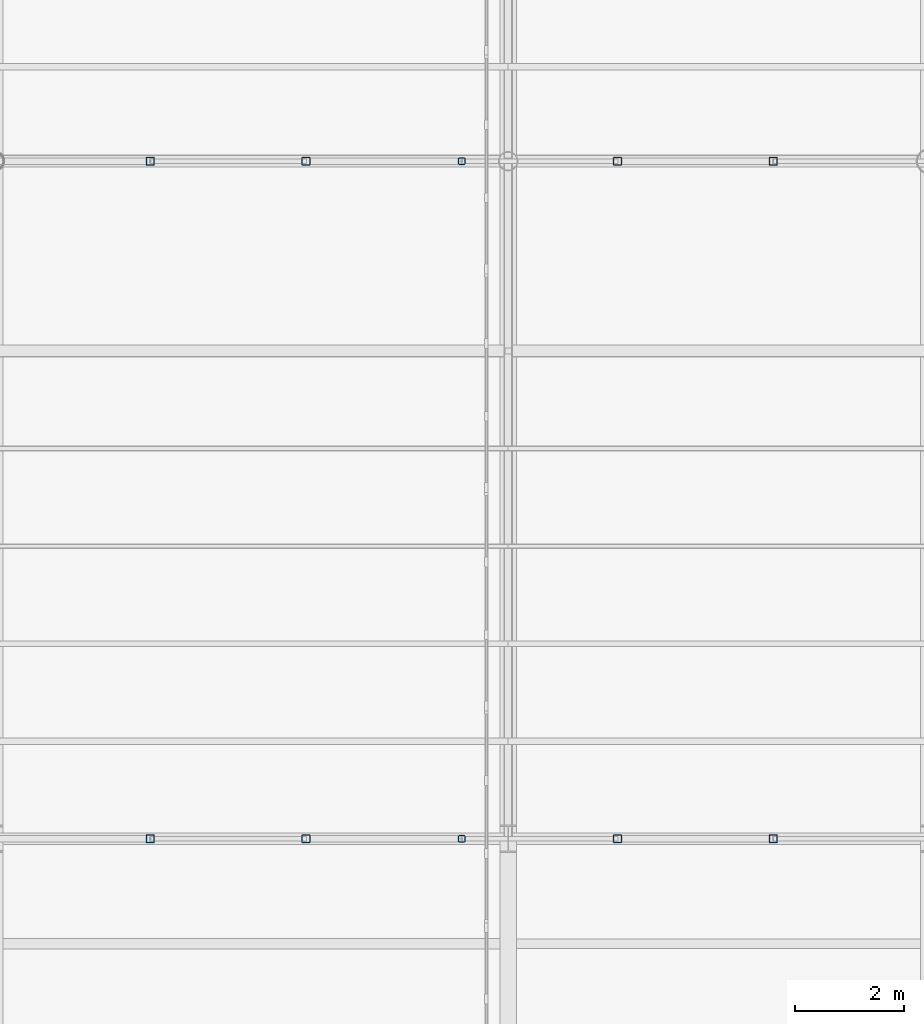
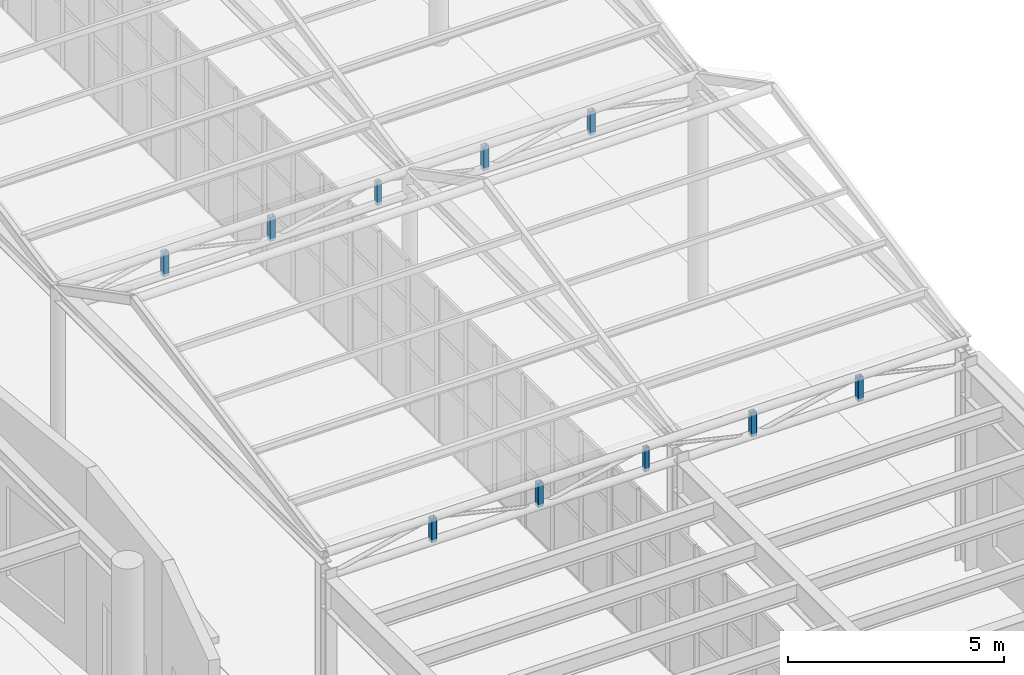
# One storey, part 58 of 118: 10 members.
"""IFC4 building model written with IfcOpenShell, lengths in metres."""

from ifc_helpers import new_model, si_unit, direction, frame, origin, origin_2d, place, context, subcontext, project, spatial, hollow_rectangle, extrude, material, material_profile, profile_set, type_object, element, save


model = new_model("IFC4")

# Units and contexts
model_context = context("Model", 3, precision=1e-05, world=origin(), true_north=direction((0.0, 1.0)))
body_context = subcontext(model_context, "Body", "Model", "MODEL_VIEW")
ifc_project = project(units=[si_unit("LENGTHUNIT", "METRE"), si_unit("AREAUNIT", "SQUARE_METRE"), si_unit("VOLUMEUNIT", "CUBIC_METRE"), si_unit("PLANEANGLEUNIT", "RADIAN"), si_unit("MASSUNIT", "GRAM", prefix="KILO")], contexts=[model_context])

# Site, building, storey
site_placement = place(None, origin())
site = spatial("IfcSite", under=ifc_project, at=site_placement, CompositionType="ELEMENT")
building_placement = place(site_placement, origin())
building = spatial("IfcBuilding", under=site, at=building_placement, Name="Kolvaren Corner Interchange", CompositionType="ELEMENT")
storey_placement = place(building_placement, origin())
storey = spatial("IfcBuildingStorey", under=building, at=storey_placement, Name="L01", CompositionType="ELEMENT", Elevation=0.0)

# Members
ifc_material_1 = material(Name="Steel S355", Category="steel")
ifc_material_profile_1 = material_profile(ifc_material_1, hollow_rectangle(XDim=0.1201171875, YDim=0.1201171875, WallThickness=0.00634765625, InnerFilletRadius=0.00634765625, OuterFilletRadius=0.0126953125, at=origin_2d()), Name="SHS 120x120x6.3")
ifc_profile_set_1 = profile_set([ifc_material_profile_1], Name="Steel S355")
member_type_1 = type_object("IfcMemberType", Name="MEM-PT-SHS120", PredefinedType="POST", material=ifc_profile_set_1)
for number, where, z_axis, x_axis, name in (
    (1, (154.949951171875, 41.60009765625, 5.64990234375), (0.0, 0.0, 1.0), (1.0, 0.0, 0.0), "Bus Canopy Sawtooth Roof Truss 01 Web Post 04"),
    (2, (154.949951171875, 54.0, 5.64990234375), (0.0, 0.0, 1.0), (1.0, 0.0, 0.0), "Bus Canopy Sawtooth Roof Truss 02 Web Post 04"),
):
    element("IfcMember", number, at=place(storey_placement, frame(where, z_axis=z_axis, x_axis=x_axis)), inside=storey, type_object=member_type_1, Name=name, PredefinedType="POST", context=body_context, shape_type="SweptSolid", body=[
        extrude(hollow_rectangle(XDim=0.1201171875, YDim=0.1201171875, WallThickness=0.00634765625, InnerFilletRadius=0.00634765625, OuterFilletRadius=0.0126953125, at=origin_2d()), origin(), (0.0, 0.0, 1.0), 0.670166015625),
    ])
ifc_material_2 = material(Name="Steel S355", Category="steel")
ifc_material_profile_2 = material_profile(ifc_material_2, hollow_rectangle(XDim=0.14990234375, YDim=0.14990234375, WallThickness=0.008056640625, InnerFilletRadius=0.008056640625, OuterFilletRadius=0.01611328125, at=origin_2d()), Name="SHS 150x150x8.0")
ifc_profile_set_2 = profile_set([ifc_material_profile_2], Name="Steel S355")
member_type_2 = type_object("IfcMemberType", Name="MEM-PT-SHS150", PredefinedType="POST", material=ifc_profile_set_2)
for number, where, z_axis, x_axis, name in (
    (3, (149.25, 41.60009765625, 5.64990234375), (0.0, 0.0, 1.0), (1.0, 0.0, 0.0), "Bus Canopy Sawtooth Roof Truss 01 Web Post 02"),
    (4, (152.10009765625, 41.60009765625, 5.64990234375), (0.0, 0.0, 1.0), (1.0, 0.0, 0.0), "Bus Canopy Sawtooth Roof Truss 01 Web Post 03"),
    (5, (157.800048828125, 41.60009765625, 5.64990234375), (0.0, 0.0, 1.0), (1.0, 0.0, 0.0), "Bus Canopy Sawtooth Roof Truss 01 Web Post 05"),
    (6, (160.64990234375, 41.60009765625, 5.64990234375), (0.0, 0.0, 1.0), (1.0, 0.0, 0.0), "Bus Canopy Sawtooth Roof Truss 01 Web Post 06"),
    (7, (149.25, 54.0, 5.64990234375), (0.0, 0.0, 1.0), (1.0, 0.0, 0.0), "Bus Canopy Sawtooth Roof Truss 02 Web Post 02"),
    (8, (152.10009765625, 54.0, 5.64990234375), (0.0, 0.0, 1.0), (1.0, 0.0, 0.0), "Bus Canopy Sawtooth Roof Truss 02 Web Post 03"),
    (9, (157.800048828125, 54.0, 5.64990234375), (0.0, 0.0, 1.0), (1.0, 0.0, 0.0), "Bus Canopy Sawtooth Roof Truss 02 Web Post 05"),
    (10, (160.64990234375, 54.0, 5.64990234375), (0.0, 0.0, 1.0), (1.0, 0.0, 0.0), "Bus Canopy Sawtooth Roof Truss 02 Web Post 06"),
):
    element("IfcMember", number, at=place(storey_placement, frame(where, z_axis=z_axis, x_axis=x_axis)), inside=storey, type_object=member_type_2, Name=name, PredefinedType="POST", context=body_context, shape_type="SweptSolid", body=[
        extrude(hollow_rectangle(XDim=0.14990234375, YDim=0.14990234375, WallThickness=0.008056640625, InnerFilletRadius=0.008056640625, OuterFilletRadius=0.01611328125, at=origin_2d()), origin(), (0.0, 0.0, 1.0), 0.670166015625),
    ])

save(model, "model.ifc")
